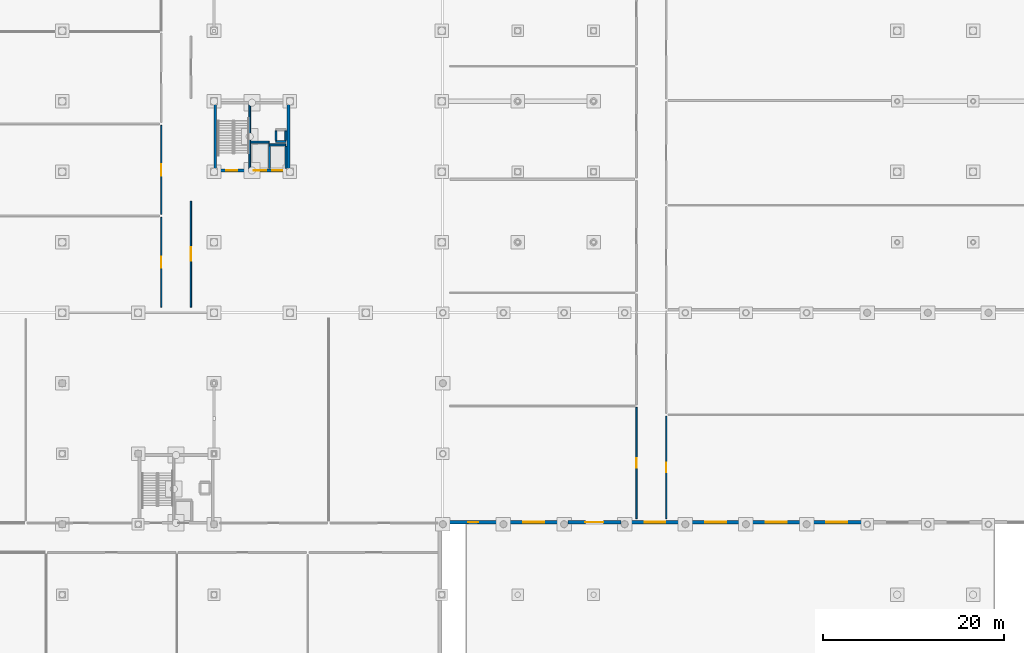
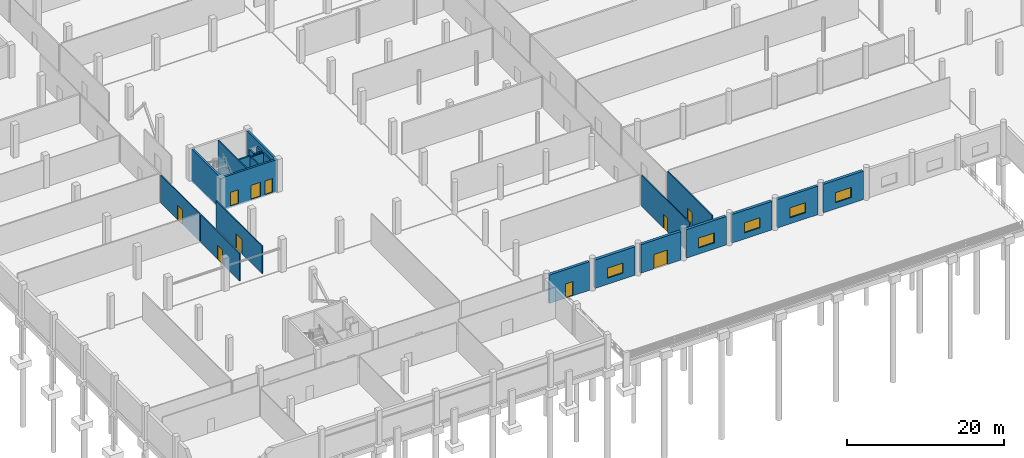
# One storey, part 28 of 48: 23 walls, 10 doors, 5 windows, 15 openings.
"""IFC4 building model written with IfcOpenShell, lengths in metres."""

from ifc_helpers import new_model, si_unit, direction, frame, frame_2d, origin, place, context, subcontext, project, spatial, rectangle, extrude, material, layer, layer_set, type_object, element, fill, save


model = new_model("IFC4")

# Units and contexts
model_context = context("Model", 3, precision=1e-05, world=origin(), true_north=direction((0.0, 1.0)))
body_context = subcontext(model_context, "Body", "Model", "MODEL_VIEW")
ifc_project = project(units=[si_unit("LENGTHUNIT", "METRE"), si_unit("AREAUNIT", "SQUARE_METRE"), si_unit("VOLUMEUNIT", "CUBIC_METRE"), si_unit("PLANEANGLEUNIT", "RADIAN"), si_unit("MASSUNIT", "GRAM", prefix="KILO")], contexts=[model_context])

# Site, building, storey
site_placement = place(None, origin())
site = spatial("IfcSite", under=ifc_project, at=site_placement, CompositionType="ELEMENT")
building_placement = place(site_placement, origin())
building = spatial("IfcBuilding", under=site, at=building_placement, Name="Nabrawat Pavilion Hospital", CompositionType="ELEMENT")
storey_placement = place(building_placement, frame((0.0, 0.0, -5.10009765625)))
storey = spatial("IfcBuildingStorey", under=building, at=storey_placement, Name="B1", CompositionType="ELEMENT", Elevation=-5.10009765625)

# Wall, opening, door
ifc_material_1 = material(Name="Concrete C35/45", Category="concrete")
ifc_layer_1 = layer(ifc_material_1, 0.39990234375, Name="Concrete C35/45")
ifc_layer_set_1 = layer_set([ifc_layer_1], Name="Concrete C35/45")
wall_type_1 = type_object("IfcWallType", Name="Basement RC Retaining Wall 400", PredefinedType="USERDEFINED", material=ifc_layer_set_1)
wall_1_placement = place(storey_placement, frame((59.3349609375, 15.820068359375, 0.0), z_axis=(0.0, 0.0, 1.0), x_axis=(1.0, 0.0, 0.0)))
wall_1 = element("IfcWall", 1, at=wall_1_placement, inside=storey, type_object=wall_type_1, Name="B1 Perimeter Retaining Wall 032", ObjectType="RETAININGWALL", PredefinedType="USERDEFINED", context=body_context, shape_type="SweptSolid", body=[
    extrude(rectangle(XDim=5.8779296875, YDim=0.39990234375, at=frame_2d((2.93896484375, 0.0))), origin(), (0.0, 0.0, 1.0), 4.43017578125),
])
opening_1_placement = place(wall_1_placement, frame((2.388916015625, 0.0, 0.0)))
opening_1 = element("IfcOpeningElement", 2, at=opening_1_placement, cuts=wall_1, Name="Opening ED-TER-110", PredefinedType="OPENING", context=body_context, shape_type="SweptSolid", body=[
    extrude(rectangle(XDim=1.10009765625, YDim=2.199951171875, at=frame_2d((0.550048828125, 1.10009765625))), frame((0.0, 0.2099609375, 0.0), z_axis=(0.0, -1.0, 0.0), x_axis=(1.0, 0.0, 0.0)), (0.0, 0.0, 1.0), 0.419921875),
])
ifc_material_2 = material(Name="Powder-Coated Galvanised Steel and Safety Glass", Category="steel")
door_type_1 = type_object("IfcDoorType", Name="Forecourt Access Single Door 1100x2200", OperationType="NOTDEFINED", PredefinedType="DOOR", material=ifc_material_2)
door_1_placement = place(opening_1_placement, frame((1.10009765625, 0.0, 0.0), z_axis=(0.0, 0.0, 1.0), x_axis=(-1.0, 0.0, 0.0)))
door_1 = element("IfcDoor", 3, at=door_1_placement, inside=storey, type_object=door_type_1, Name="B1 Sunken Metro Forecourt Entrance Door", OperationType="SINGLE_SWING_RIGHT", OverallHeight=2.199951171875, OverallWidth=1.10009765625, PredefinedType="DOOR", context=body_context, shape_type="SweptSolid", body=[
    extrude(rectangle(XDim=1.10009765625, YDim=2.199951171875, at=frame_2d((0.550048828125, 1.10009765625))), frame((0.0, 0.02490234375, 0.0), z_axis=(0.0, -1.0, 0.0), x_axis=(1.0, 0.0, 0.0)), (0.0, 0.0, 1.0), 0.050048828125),
])
fill(opening_1, door_1)

# Wall, opening, window
wall_2_placement = place(storey_placement, frame((66.04296875, 15.820068359375, 0.0), z_axis=(0.0, 0.0, 1.0), x_axis=(1.0, 0.0, 0.0)))
wall_2 = element("IfcWall", 4, at=wall_2_placement, inside=storey, type_object=wall_type_1, Name="B1 Perimeter Retaining Wall 033", ObjectType="RETAININGWALL", PredefinedType="USERDEFINED", context=body_context, shape_type="SweptSolid", body=[
    extrude(rectangle(XDim=5.8779296875, YDim=0.39990234375, at=frame_2d((2.93896484375, 0.0))), origin(), (0.0, 0.0, 1.0), 4.43017578125),
])
opening_2_placement = place(wall_2_placement, frame((1.7890625, 0.0, 0.949951171875)))
opening_2 = element("IfcOpeningElement", 5, at=opening_2_placement, cuts=wall_2, Name="Opening WN-21", PredefinedType="OPENING", context=body_context, shape_type="SweptSolid", body=[
    extrude(rectangle(XDim=2.300048828125, YDim=1.550048828125, at=frame_2d((1.14990234375, 0.77490234375))), frame((0.0, 0.2099609375, 0.0), z_axis=(0.0, -1.0, 0.0), x_axis=(1.0, 0.0, 0.0)), (0.0, 0.0, 1.0), 0.419921875),
])
ifc_material_3 = material(Name="Thermally Broken Aluminium and Solar Glass", Category="aluminium")
window_type = type_object("IfcWindowType", Name="Sunken Forecourt Metro Window 2300x1550", PartitioningType="SINGLE_PANEL", PredefinedType="WINDOW", material=ifc_material_3)
window_1_placement = place(opening_2_placement, origin())
window_1 = element("IfcWindow", 6, at=window_1_placement, inside=storey, type_object=window_type, Name="B1 Sunken Forecourt Daylight Window 001", OverallHeight=1.550048828125, OverallWidth=2.300048828125, PartitioningType="SINGLE_PANEL", PredefinedType="WINDOW", context=body_context, shape_type="SweptSolid", body=[
    extrude(rectangle(XDim=2.300048828125, YDim=1.550048828125, at=frame_2d((1.14990234375, 0.77490234375))), frame((0.0, 0.030029296875, 0.0), z_axis=(0.0, -1.0, 0.0), x_axis=(1.0, 0.0, 0.0)), (0.0, 0.0, 1.0), 0.06005859375),
])
fill(opening_2, window_1)

# Wall, opening, door
wall_3_placement = place(storey_placement, frame((72.7509765625, 15.820068359375, 0.0), z_axis=(0.0, 0.0, 1.0), x_axis=(1.0, 0.0, 0.0)))
wall_3 = element("IfcWall", 7, at=wall_3_placement, inside=storey, type_object=wall_type_1, Name="B1 Perimeter Retaining Wall 034", ObjectType="RETAININGWALL", PredefinedType="USERDEFINED", context=body_context, shape_type="SweptSolid", body=[
    extrude(rectangle(XDim=5.8779296875, YDim=0.39990234375, at=frame_2d((2.93896484375, 0.0))), origin(), (0.0, 0.0, 1.0), 4.43017578125),
])
opening_3_placement = place(wall_3_placement, frame((1.93896484375, 0.0, 0.0)))
opening_3 = element("IfcOpeningElement", 8, at=opening_3_placement, cuts=wall_3, Name="Opening ED-EXIT-200", PredefinedType="OPENING", context=body_context, shape_type="SweptSolid", body=[
    extrude(rectangle(XDim=2.0, YDim=2.25, at=frame_2d((1.0, 1.125))), frame((0.0, 0.2099609375, 0.0), z_axis=(0.0, -1.0, 0.0), x_axis=(1.0, 0.0, 0.0)), (0.0, 0.0, 1.0), 0.419921875),
])
door_type_2 = type_object("IfcDoorType", Name="Secondary Final-Exit Double Door 2000x2250", OperationType="NOTDEFINED", PredefinedType="DOOR", material=ifc_material_2)
door_2_placement = place(opening_3_placement, frame((2.0, 0.0, 0.0), z_axis=(0.0, 0.0, 1.0), x_axis=(-1.0, 0.0, 0.0)))
door_2 = element("IfcDoor", 9, at=door_2_placement, inside=storey, type_object=door_type_2, Name="B1 Metro Forecourt Concourse Double Exit Door", OperationType="DOUBLE_DOOR_SINGLE_SWING", OverallHeight=2.25, OverallWidth=2.0, PredefinedType="DOOR", context=body_context, shape_type="SweptSolid", body=[
    extrude(rectangle(XDim=2.0, YDim=2.25, at=frame_2d((1.0, 1.125))), frame((0.0, 0.02490234375, 0.0), z_axis=(0.0, -1.0, 0.0), x_axis=(1.0, 0.0, 0.0)), (0.0, 0.0, 1.0), 0.050048828125),
])
fill(opening_3, door_2)

# Wall, opening, window
wall_4_placement = place(storey_placement, frame((79.458984375, 15.820068359375, 0.0), z_axis=(0.0, 0.0, 1.0), x_axis=(1.0, 0.0, 0.0)))
wall_4 = element("IfcWall", 10, at=wall_4_placement, inside=storey, type_object=wall_type_1, Name="B1 Perimeter Retaining Wall 035", ObjectType="RETAININGWALL", PredefinedType="USERDEFINED", context=body_context, shape_type="SweptSolid", body=[
    extrude(rectangle(XDim=5.8779296875, YDim=0.39990234375, at=frame_2d((2.93896484375, 0.0))), origin(), (0.0, 0.0, 1.0), 4.43017578125),
])
opening_4_placement = place(wall_4_placement, frame((1.7890625, 0.0, 0.949951171875)))
opening_4 = element("IfcOpeningElement", 11, at=opening_4_placement, cuts=wall_4, Name="Opening WN-21", PredefinedType="OPENING", context=body_context, shape_type="SweptSolid", body=[
    extrude(rectangle(XDim=2.300048828125, YDim=1.550048828125, at=frame_2d((1.14990234375, 0.77490234375))), frame((0.0, 0.2099609375, 0.0), z_axis=(0.0, -1.0, 0.0), x_axis=(1.0, 0.0, 0.0)), (0.0, 0.0, 1.0), 0.419921875),
])
window_2_placement = place(opening_4_placement, origin())
window_2 = element("IfcWindow", 12, at=window_2_placement, inside=storey, type_object=window_type, Name="B1 Sunken Forecourt Daylight Window 003", OverallHeight=1.550048828125, OverallWidth=2.300048828125, PartitioningType="SINGLE_PANEL", PredefinedType="WINDOW", context=body_context, shape_type="SweptSolid", body=[
    extrude(rectangle(XDim=2.300048828125, YDim=1.550048828125, at=frame_2d((1.14990234375, 0.77490234375))), frame((0.0, 0.030029296875, 0.0), z_axis=(0.0, -1.0, 0.0), x_axis=(1.0, 0.0, 0.0)), (0.0, 0.0, 1.0), 0.06005859375),
])
fill(opening_4, window_2)

wall_5_placement = place(storey_placement, frame((86.1669921875, 15.820068359375, 0.0), z_axis=(0.0, 0.0, 1.0), x_axis=(1.0, 0.0, 0.0)))
wall_5 = element("IfcWall", 13, at=wall_5_placement, inside=storey, type_object=wall_type_1, Name="B1 Perimeter Retaining Wall 036", ObjectType="RETAININGWALL", PredefinedType="USERDEFINED", context=body_context, shape_type="SweptSolid", body=[
    extrude(rectangle(XDim=5.8779296875, YDim=0.39990234375, at=frame_2d((2.93896484375, 0.0))), origin(), (0.0, 0.0, 1.0), 4.43017578125),
])
opening_5_placement = place(wall_5_placement, frame((1.7890625, 0.0, 0.949951171875)))
opening_5 = element("IfcOpeningElement", 14, at=opening_5_placement, cuts=wall_5, Name="Opening WN-21", PredefinedType="OPENING", context=body_context, shape_type="SweptSolid", body=[
    extrude(rectangle(XDim=2.300048828125, YDim=1.550048828125, at=frame_2d((1.14990234375, 0.77490234375))), frame((0.0, 0.2099609375, 0.0), z_axis=(0.0, -1.0, 0.0), x_axis=(1.0, 0.0, 0.0)), (0.0, 0.0, 1.0), 0.419921875),
])
window_3_placement = place(opening_5_placement, origin())
window_3 = element("IfcWindow", 15, at=window_3_placement, inside=storey, type_object=window_type, Name="B1 Sunken Forecourt Daylight Window 004", OverallHeight=1.550048828125, OverallWidth=2.300048828125, PartitioningType="SINGLE_PANEL", PredefinedType="WINDOW", context=body_context, shape_type="SweptSolid", body=[
    extrude(rectangle(XDim=2.300048828125, YDim=1.550048828125, at=frame_2d((1.14990234375, 0.77490234375))), frame((0.0, 0.030029296875, 0.0), z_axis=(0.0, -1.0, 0.0), x_axis=(1.0, 0.0, 0.0)), (0.0, 0.0, 1.0), 0.06005859375),
])
fill(opening_5, window_3)

wall_6_placement = place(storey_placement, frame((92.875, 15.820068359375, 0.0), z_axis=(0.0, 0.0, 1.0), x_axis=(1.0, 0.0, 0.0)))
wall_6 = element("IfcWall", 16, at=wall_6_placement, inside=storey, type_object=wall_type_1, Name="B1 Perimeter Retaining Wall 037", ObjectType="RETAININGWALL", PredefinedType="USERDEFINED", context=body_context, shape_type="SweptSolid", body=[
    extrude(rectangle(XDim=5.8779296875, YDim=0.39990234375, at=frame_2d((2.93896484375, 0.0))), origin(), (0.0, 0.0, 1.0), 4.43017578125),
])
opening_6_placement = place(wall_6_placement, frame((1.7890625, 0.0, 0.949951171875)))
opening_6 = element("IfcOpeningElement", 17, at=opening_6_placement, cuts=wall_6, Name="Opening WN-21", PredefinedType="OPENING", context=body_context, shape_type="SweptSolid", body=[
    extrude(rectangle(XDim=2.300048828125, YDim=1.550048828125, at=frame_2d((1.14990234375, 0.77490234375))), frame((0.0, 0.2099609375, 0.0), z_axis=(0.0, -1.0, 0.0), x_axis=(1.0, 0.0, 0.0)), (0.0, 0.0, 1.0), 0.419921875),
])
window_4_placement = place(opening_6_placement, origin())
window_4 = element("IfcWindow", 18, at=window_4_placement, inside=storey, type_object=window_type, Name="B1 Sunken Forecourt Daylight Window 005", OverallHeight=1.550048828125, OverallWidth=2.300048828125, PartitioningType="SINGLE_PANEL", PredefinedType="WINDOW", context=body_context, shape_type="SweptSolid", body=[
    extrude(rectangle(XDim=2.300048828125, YDim=1.550048828125, at=frame_2d((1.14990234375, 0.77490234375))), frame((0.0, 0.030029296875, 0.0), z_axis=(0.0, -1.0, 0.0), x_axis=(1.0, 0.0, 0.0)), (0.0, 0.0, 1.0), 0.06005859375),
])
fill(opening_6, window_4)

wall_7_placement = place(storey_placement, frame((99.5830078125, 15.820068359375, 0.0), z_axis=(0.0, 0.0, 1.0), x_axis=(1.0, 0.0, 0.0)))
wall_7 = element("IfcWall", 19, at=wall_7_placement, inside=storey, type_object=wall_type_1, Name="B1 Perimeter Retaining Wall 038", ObjectType="RETAININGWALL", PredefinedType="USERDEFINED", context=body_context, shape_type="SweptSolid", body=[
    extrude(rectangle(XDim=5.8779296875, YDim=0.39990234375, at=frame_2d((2.93896484375, 0.0))), origin(), (0.0, 0.0, 1.0), 4.43017578125),
])
opening_7_placement = place(wall_7_placement, frame((1.7890625, 0.0, 0.949951171875)))
opening_7 = element("IfcOpeningElement", 20, at=opening_7_placement, cuts=wall_7, Name="Opening WN-21", PredefinedType="OPENING", context=body_context, shape_type="SweptSolid", body=[
    extrude(rectangle(XDim=2.300048828125, YDim=1.550048828125, at=frame_2d((1.14990234375, 0.77490234375))), frame((0.0, 0.2099609375, 0.0), z_axis=(0.0, -1.0, 0.0), x_axis=(1.0, 0.0, 0.0)), (0.0, 0.0, 1.0), 0.419921875),
])
window_5_placement = place(opening_7_placement, origin())
window_5 = element("IfcWindow", 21, at=window_5_placement, inside=storey, type_object=window_type, Name="B1 Sunken Forecourt Daylight Window 006", OverallHeight=1.550048828125, OverallWidth=2.300048828125, PartitioningType="SINGLE_PANEL", PredefinedType="WINDOW", context=body_context, shape_type="SweptSolid", body=[
    extrude(rectangle(XDim=2.300048828125, YDim=1.550048828125, at=frame_2d((1.14990234375, 0.77490234375))), frame((0.0, 0.030029296875, 0.0), z_axis=(0.0, -1.0, 0.0), x_axis=(1.0, 0.0, 0.0)), (0.0, 0.0, 1.0), 0.06005859375),
])
fill(opening_7, window_5)

# Wall, opening, door
ifc_material_4 = material(Name="Gypsum Fireboard on Steel Stud", Category="steel")
ifc_layer_2 = layer(ifc_material_4, 0.14990234375, Name="Gypsum Fireboard on Steel Stud")
ifc_layer_set_2 = layer_set([ifc_layer_2], Name="Gypsum Fireboard on Steel Stud")
wall_type_2 = type_object("IfcWallType", Name="Clinical Corridor Smoke-Barrier Wall 150", PredefinedType="PARTITIONING", material=ifc_layer_set_2)
wall_8_placement = place(storey_placement, frame((27.760009765625, 39.6201171875, 0.0), z_axis=(0.0, 0.0, 1.0), x_axis=(0.0, 1.0, 0.0)))
wall_8 = element("IfcWall", 22, at=wall_8_placement, inside=storey, type_object=wall_type_2, Name="B1 Anatomical Pathology Laboratory B1-01 Front Partition", PredefinedType="PARTITIONING", context=body_context, shape_type="SweptSolid", body=[
    extrude(rectangle(XDim=9.93798828125, YDim=0.14990234375, at=frame_2d((4.968994140625, 0.0))), origin(), (0.0, 0.0, 1.0), 4.280029296875),
])
opening_8_placement = place(wall_8_placement, frame((4.343994140625, 0.0, 0.0)))
opening_8 = element("IfcOpeningElement", 23, at=opening_8_placement, cuts=wall_8, Name="Opening D-LAB", PredefinedType="OPENING", context=body_context, shape_type="SweptSolid", body=[
    extrude(rectangle(XDim=1.25, YDim=2.199951171875, at=frame_2d((0.625, 1.10009765625))), frame((0.0, 0.0849609375, 0.0), z_axis=(0.0, -1.0, 0.0), x_axis=(1.0, 0.0, 0.0)), (0.0, 0.0, 1.0), 0.169921875),
])
ifc_material_5 = material(Name="Stainless-Clad Acoustic Timber and Vision Glass", Category="wood")
door_type_3 = type_object("IfcDoorType", Name="Laboratory Containment Vision-Panel Door 1250x2200", OperationType="NOTDEFINED", PredefinedType="DOOR", material=ifc_material_5)
door_3_placement = place(opening_8_placement, origin())
door_3 = element("IfcDoor", 24, at=door_3_placement, inside=storey, type_object=door_type_3, Name="Anatomical Pathology Laboratory B1-01 Door", OperationType="SINGLE_SWING_RIGHT", OverallHeight=2.199951171875, OverallWidth=1.25, PredefinedType="DOOR", context=body_context, shape_type="SweptSolid", body=[
    extrude(rectangle(XDim=1.25, YDim=2.199951171875, at=frame_2d((0.625, 1.10009765625))), frame((0.0, 0.02490234375, 0.0), z_axis=(0.0, -1.0, 0.0), x_axis=(1.0, 0.0, 0.0)), (0.0, 0.0, 1.0), 0.050048828125),
])
fill(opening_8, door_3)

wall_9_placement = place(storey_placement, frame((27.760009765625, 49.8779296875, 0.0), z_axis=(0.0, 0.0, 1.0), x_axis=(0.0, 1.0, 0.0)))
wall_9 = element("IfcWall", 25, at=wall_9_placement, inside=storey, type_object=wall_type_2, Name="B1 Regional Blood Bank Cryo Storage B1-02 Front Partition", PredefinedType="PARTITIONING", context=body_context, shape_type="SweptSolid", body=[
    extrude(rectangle(XDim=9.858154296875, YDim=0.14990234375, at=frame_2d((4.92919921875, 0.0))), origin(), (0.0, 0.0, 1.0), 4.280029296875),
])
opening_9_placement = place(wall_9_placement, frame((4.303955078125, 0.0, 0.0)))
opening_9 = element("IfcOpeningElement", 26, at=opening_9_placement, cuts=wall_9, Name="Opening D-LAB", PredefinedType="OPENING", context=body_context, shape_type="SweptSolid", body=[
    extrude(rectangle(XDim=1.25, YDim=2.199951171875, at=frame_2d((0.625, 1.10009765625))), frame((0.0, 0.0849609375, 0.0), z_axis=(0.0, -1.0, 0.0), x_axis=(1.0, 0.0, 0.0)), (0.0, 0.0, 1.0), 0.169921875),
])
door_4_placement = place(opening_9_placement, origin())
door_4 = element("IfcDoor", 27, at=door_4_placement, inside=storey, type_object=door_type_3, Name="Regional Blood Bank Cryo Storage B1-02 Door", OperationType="SINGLE_SWING_LEFT", OverallHeight=2.199951171875, OverallWidth=1.25, PredefinedType="DOOR", context=body_context, shape_type="SweptSolid", body=[
    extrude(rectangle(XDim=1.25, YDim=2.199951171875, at=frame_2d((0.625, 1.10009765625))), frame((0.0, 0.02490234375, 0.0), z_axis=(0.0, -1.0, 0.0), x_axis=(1.0, 0.0, 0.0)), (0.0, 0.0, 1.0), 0.050048828125),
])
fill(opening_9, door_4)

wall_10_placement = place(storey_placement, frame((31.0400390625, 39.6201171875, 0.0), z_axis=(0.0, 0.0, 1.0), x_axis=(0.0, 1.0, 0.0)))
wall_10 = element("IfcWall", 28, at=wall_10_placement, inside=storey, type_object=wall_type_2, Name="B1 Critical Power UPS Battery Room B1-07 Front Partition", PredefinedType="PARTITIONING", context=body_context, shape_type="SweptSolid", body=[
    extrude(rectangle(XDim=11.72998046875, YDim=0.14990234375, at=frame_2d((5.864990234375, 0.0))), origin(), (0.0, 0.0, 1.0), 4.280029296875),
])
opening_10_placement = place(wall_10_placement, frame((5.114990234375, 0.0, 0.0)))
opening_10 = element("IfcOpeningElement", 29, at=opening_10_placement, cuts=wall_10, Name="Opening D-PLANT", PredefinedType="OPENING", context=body_context, shape_type="SweptSolid", body=[
    extrude(rectangle(XDim=1.5, YDim=2.25, at=frame_2d((0.75, 1.125))), frame((0.0, 0.0849609375, 0.0), z_axis=(0.0, -1.0, 0.0), x_axis=(1.0, 0.0, 0.0)), (0.0, 0.0, 1.0), 0.169921875),
])
door_type_4 = type_object("IfcDoorType", Name="D-PLANT Heavy Plant Room Steel Fire Door 1500x2250", OperationType="NOTDEFINED", PredefinedType="DOOR", material=ifc_material_5)
door_5_placement = place(opening_10_placement, origin())
door_5 = element("IfcDoor", 30, at=door_5_placement, inside=storey, type_object=door_type_4, Name="Critical Power UPS Battery Room B1-07 Door", OperationType="DOUBLE_DOOR_SINGLE_SWING", OverallHeight=2.25, OverallWidth=1.5, PredefinedType="DOOR", context=body_context, shape_type="SweptSolid", body=[
    extrude(rectangle(XDim=1.5, YDim=2.25, at=frame_2d((0.75, 1.125))), frame((0.0, 0.02490234375, 0.0), z_axis=(0.0, -1.0, 0.0), x_axis=(1.0, 0.0, 0.0)), (0.0, 0.0, 1.0), 0.050048828125),
])
fill(opening_10, door_5)

wall_11_placement = place(storey_placement, frame((80.360107421875, 16.219970703125, 0.0), z_axis=(0.0, 0.0, 1.0), x_axis=(0.0, 1.0, 0.0)))
wall_11 = element("IfcWall", 31, at=wall_11_placement, inside=storey, type_object=wall_type_2, Name="B1 Metro Tunnel Pedestrian Concourse Reception B1-01 Front Partition", PredefinedType="PARTITIONING", context=body_context, shape_type="SweptSolid", body=[
    extrude(rectangle(XDim=12.300048828125, YDim=0.14990234375, at=frame_2d((6.14990234375, 0.0))), origin(), (0.0, 0.0, 1.0), 4.820068359375),
])
opening_11_placement = place(wall_11_placement, frame((5.625, 0.0, 0.0)))
opening_11 = element("IfcOpeningElement", 32, at=opening_11_placement, cuts=wall_11, Name="Opening D-OPC-R", PredefinedType="OPENING", context=body_context, shape_type="SweptSolid", body=[
    extrude(rectangle(XDim=1.050048828125, YDim=2.14990234375, at=frame_2d((0.52490234375, 1.074951171875))), frame((0.0, 0.0849609375, 0.0), z_axis=(0.0, -1.0, 0.0), x_axis=(1.0, 0.0, 0.0)), (0.0, 0.0, 1.0), 0.169921875),
])
door_type_5 = type_object("IfcDoorType", Name="Outpatient Clinic Consultation Door R 1050x2150", OperationType="NOTDEFINED", PredefinedType="DOOR", material=ifc_material_5)
door_6_placement = place(opening_11_placement, origin())
door_6 = element("IfcDoor", 33, at=door_6_placement, inside=storey, type_object=door_type_5, Name="Metro Tunnel Pedestrian Concourse Reception B1-01 Door", OperationType="SINGLE_SWING_LEFT", OverallHeight=2.14990234375, OverallWidth=1.050048828125, PredefinedType="DOOR", context=body_context, shape_type="SweptSolid", body=[
    extrude(rectangle(XDim=1.050048828125, YDim=2.14990234375, at=frame_2d((0.52490234375, 1.074951171875))), frame((0.0, 0.02490234375, 0.0), z_axis=(0.0, -1.0, 0.0), x_axis=(1.0, 0.0, 0.0)), (0.0, 0.0, 1.0), 0.050048828125),
])
fill(opening_11, door_6)

wall_12_placement = place(storey_placement, frame((83.639892578125, 16.219970703125, 0.0), z_axis=(0.0, 0.0, 1.0), x_axis=(0.0, 1.0, 0.0)))
wall_12 = element("IfcWall", 34, at=wall_12_placement, inside=storey, type_object=wall_type_2, Name="B1 Staff Secure Bicycle Storage and Changing Room B1-09 Front Partition", PredefinedType="PARTITIONING", context=body_context, shape_type="SweptSolid", body=[
    extrude(rectangle(XDim=11.35009765625, YDim=0.14990234375, at=frame_2d((5.675048828125, 0.0))), origin(), (0.0, 0.0, 1.0), 4.820068359375),
])
opening_12_placement = place(wall_12_placement, frame((5.14990234375, 0.0, 0.0)))
opening_12 = element("IfcOpeningElement", 35, at=opening_12_placement, cuts=wall_12, Name="Opening D-OPC-R", PredefinedType="OPENING", context=body_context, shape_type="SweptSolid", body=[
    extrude(rectangle(XDim=1.050048828125, YDim=2.14990234375, at=frame_2d((0.52490234375, 1.074951171875))), frame((0.0, 0.0849609375, 0.0), z_axis=(0.0, -1.0, 0.0), x_axis=(1.0, 0.0, 0.0)), (0.0, 0.0, 1.0), 0.169921875),
])
door_7_placement = place(opening_12_placement, origin())
door_7 = element("IfcDoor", 36, at=door_7_placement, inside=storey, type_object=door_type_5, Name="Staff Secure Bicycle Storage and Changing Room B1-09 Door", OperationType="SINGLE_SWING_LEFT", OverallHeight=2.14990234375, OverallWidth=1.050048828125, PredefinedType="DOOR", context=body_context, shape_type="SweptSolid", body=[
    extrude(rectangle(XDim=1.050048828125, YDim=2.14990234375, at=frame_2d((0.52490234375, 1.074951171875))), frame((0.0, 0.02490234375, 0.0), z_axis=(0.0, -1.0, 0.0), x_axis=(1.0, 0.0, 0.0)), (0.0, 0.0, 1.0), 0.050048828125),
])
fill(opening_12, door_7)

# Walls
ifc_layer_3 = layer(ifc_material_1, 0.199951171875, Name="Concrete C35/45")
ifc_layer_set_3 = layer_set([ifc_layer_3], Name="Concrete C35/45")
wall_type_3 = type_object("IfcWallType", Name="Lift and Riser Fire Shaft Wall 200", PredefinedType="PARTITIONING", material=ifc_layer_set_3)
wall_13_placement = place(storey_placement, frame((37.550048828125, 54.919921875, -0.219970703125), z_axis=(0.0, 0.0, 1.0), x_axis=(0.0, 1.0, 0.0)))
element("IfcWall", 37, at=wall_13_placement, inside=storey, type_object=wall_type_3, Name="B1 CORE-2 Stair-Lift Dividing Shear Wall", PredefinedType="SHEAR", context=body_context, shape_type="SweptSolid", body=[
    extrude(rectangle(XDim=7.16015625, YDim=0.199951171875, at=frame_2d((3.580078125, 0.0))), origin(), (0.0, 0.0, 1.0), 5.070068359375),
])
wall_14_placement = place(storey_placement, frame((40.449951171875, 57.949951171875, 0.0), z_axis=(0.0, 0.0, 1.0), x_axis=(1.0, 0.0, 0.0)))
element("IfcWall", 38, at=wall_14_placement, inside=storey, type_object=wall_type_3, Name="B1 CORE-2 MEP Riser Shaft Wall S", PredefinedType="PARTITIONING", context=body_context, shape_type="SweptSolid", body=[
    extrude(rectangle(XDim=1.10009765625, YDim=0.199951171875, at=frame_2d((0.550048828125, 0.0))), origin(), (0.0, 0.0, 1.0), 4.22998046875),
])
for number, where, z_axis, x_axis, name in (
    (39, (40.449951171875, 58.070068359375, 0.0), (0.0, 0.0, 1.0), (0.0, 1.0, 0.0), "B1 CORE-2 MEP Riser Shaft Wall W"),
    (40, (41.550048828125, 58.070068359375, 0.0), (0.0, 0.0, 1.0), (0.0, 1.0, 0.0), "B1 CORE-2 MEP Riser Shaft Wall E"),
):
    element("IfcWall", number, at=place(storey_placement, frame(where, z_axis=z_axis, x_axis=x_axis)), inside=storey, type_object=wall_type_3, Name=name, PredefinedType="PARTITIONING", context=body_context, shape_type="SweptSolid", body=[
        extrude(rectangle(XDim=1.059814453125, YDim=0.199951171875, at=frame_2d((0.52978515625, 0.0))), origin(), (0.0, 0.0, 1.0), 4.22998046875),
    ])
wall_15_placement = place(storey_placement, frame((39.739990234375, 54.97998046875, 0.0), z_axis=(0.0, 0.0, 1.0), x_axis=(0.0, 1.0, 0.0)))
element("IfcWall", 41, at=wall_15_placement, inside=storey, type_object=wall_type_3, Name="B1 Lift LB-01 Shaft East Wall", PredefinedType="PARTITIONING", context=body_context, shape_type="SweptSolid", body=[
    extrude(rectangle(XDim=2.739990234375, YDim=0.199951171875, at=frame_2d((1.3701171875, 0.0))), origin(), (0.0, 0.0, 1.0), 4.22998046875),
])
wall_16_placement = place(storey_placement, frame((37.64990234375, 57.8798828125, 0.0), z_axis=(0.0, 0.0, 1.0), x_axis=(1.0, 0.0, 0.0)))
element("IfcWall", 42, at=wall_16_placement, inside=storey, type_object=wall_type_3, Name="B1 Lift LB-01 Shaft Back Wall", PredefinedType="PARTITIONING", context=body_context, shape_type="SweptSolid", body=[
    extrude(rectangle(XDim=2.06005859375, YDim=0.199951171875, at=frame_2d((1.030029296875, 0.0))), origin(), (0.0, 0.0, 1.0), 4.22998046875),
])
wall_17_placement = place(storey_placement, frame((41.56005859375, 54.97998046875, 0.0), z_axis=(0.0, 0.0, 1.0), x_axis=(0.0, 1.0, 0.0)))
element("IfcWall", 43, at=wall_17_placement, inside=storey, type_object=wall_type_3, Name="B1 Lift LS-01 Shaft East Wall", PredefinedType="PARTITIONING", context=body_context, shape_type="SweptSolid", body=[
    extrude(rectangle(XDim=2.43994140625, YDim=0.199951171875, at=frame_2d((1.219970703125, 0.0))), origin(), (0.0, 0.0, 1.0), 4.22998046875),
])
wall_18_placement = place(storey_placement, frame((39.669921875, 57.580078125, 0.0), z_axis=(0.0, 0.0, 1.0), x_axis=(1.0, 0.0, 0.0)))
element("IfcWall", 44, at=wall_18_placement, inside=storey, type_object=wall_type_3, Name="B1 Lift LS-01 Shaft Back Wall", PredefinedType="PARTITIONING", context=body_context, shape_type="SweptSolid", body=[
    extrude(rectangle(XDim=1.860107421875, YDim=0.199951171875, at=frame_2d((0.93017578125, 0.0))), origin(), (0.0, 0.0, 1.0), 4.22998046875),
])

# Wall, openings, doors
ifc_material_6 = material(Name="Concrete C40/50", Category="concrete")
ifc_layer_4 = layer(ifc_material_6, 0.300048828125, Name="Concrete C40/50")
ifc_layer_set_4 = layer_set([ifc_layer_4], Name="Concrete C40/50")
wall_type_4 = type_object("IfcWallType", Name="Reinforced Concrete Core Shear Wall 300", PredefinedType="SHEAR", material=ifc_layer_set_4)
wall_19_placement = place(storey_placement, frame((33.60009765625, 54.75, -0.219970703125), z_axis=(0.0, 0.0, 1.0), x_axis=(1.0, 0.0, 0.0)))
wall_19 = element("IfcWall", 45, at=wall_19_placement, inside=storey, type_object=wall_type_4, Name="B1 CORE-2 South Core Shear Wall", PredefinedType="SHEAR", context=body_context, shape_type="SweptSolid", body=[
    extrude(rectangle(XDim=8.39990234375, YDim=0.300048828125, at=frame_2d((4.199951171875, 0.0))), origin(), (0.0, 0.0, 1.0), 5.070068359375),
])
opening_13_placement = place(wall_19_placement, frame((1.3798828125, 0.0, 0.219970703125)))
opening_13 = element("IfcOpeningElement", 46, at=opening_13_placement, cuts=wall_19, Name="Opening D-STAIR", PredefinedType="OPENING", context=body_context, shape_type="SweptSolid", body=[
    extrude(rectangle(XDim=1.199951171875, YDim=2.14990234375, at=frame_2d((0.60009765625, 1.074951171875))), frame((0.0, 0.16015625, 0.0), z_axis=(0.0, -1.0, 0.0), x_axis=(1.0, 0.0, 0.0)), (0.0, 0.0, 1.0), 0.320068359375),
])
opening_14_placement = place(wall_19_placement, frame((4.3798828125, 0.0, 0.219970703125)))
opening_14 = element("IfcOpeningElement", 47, at=opening_14_placement, cuts=wall_19, Name="Opening LD-LB-01", PredefinedType="OPENING", context=body_context, shape_type="SweptSolid", body=[
    extrude(rectangle(XDim=1.39990234375, YDim=2.199951171875, at=frame_2d((0.699951171875, 1.10009765625))), frame((0.0, 0.16015625, 0.0), z_axis=(0.0, -1.0, 0.0), x_axis=(1.0, 0.0, 0.0)), (0.0, 0.0, 1.0), 0.320068359375),
])
opening_15_placement = place(wall_19_placement, frame((6.449951171875, 0.0, 0.219970703125)))
opening_15 = element("IfcOpeningElement", 48, at=opening_15_placement, cuts=wall_19, Name="Opening LD-LS-01", PredefinedType="OPENING", context=body_context, shape_type="SweptSolid", body=[
    extrude(rectangle(XDim=1.10009765625, YDim=2.14990234375, at=frame_2d((0.550048828125, 1.074951171875))), frame((0.0, 0.16015625, 0.0), z_axis=(0.0, -1.0, 0.0), x_axis=(1.0, 0.0, 0.0)), (0.0, 0.0, 1.0), 0.320068359375),
])
door_type_6 = type_object("IfcDoorType", Name="D-STAIR Exit Stair Fire Door 1200x2150", OperationType="NOTDEFINED", PredefinedType="DOOR", material=ifc_material_5)
door_8_placement = place(opening_13_placement, origin())
door_8 = element("IfcDoor", 49, at=door_8_placement, inside=storey, type_object=door_type_6, Name="B1 ST-02 Fire Exit Stair Door", OperationType="SINGLE_SWING_RIGHT", OverallHeight=2.14990234375, OverallWidth=1.199951171875, PredefinedType="DOOR", context=body_context, shape_type="SweptSolid", body=[
    extrude(rectangle(XDim=1.199951171875, YDim=2.14990234375, at=frame_2d((0.60009765625, 1.074951171875))), frame((0.0, 0.02490234375, 0.0), z_axis=(0.0, -1.0, 0.0), x_axis=(1.0, 0.0, 0.0)), (0.0, 0.0, 1.0), 0.050048828125),
])
fill(opening_13, door_8)
door_type_7 = type_object("IfcDoorType", Name="Hospital Bed Lift Sliding Landing Door 1400x2200", OperationType="DOUBLE_DOOR_SLIDING", PredefinedType="DOOR", material=ifc_material_5)
door_9_placement = place(opening_14_placement, origin())
door_9 = element("IfcDoor", 50, at=door_9_placement, inside=storey, type_object=door_type_7, Name="B1 Lift LB-01 Sliding Landing Door", OperationType="DOUBLE_DOOR_SLIDING", OverallHeight=2.199951171875, OverallWidth=1.39990234375, PredefinedType="DOOR", context=body_context, shape_type="SweptSolid", body=[
    extrude(rectangle(XDim=1.39990234375, YDim=2.199951171875, at=frame_2d((0.699951171875, 1.10009765625))), frame((0.0, 0.02490234375, 0.0), z_axis=(0.0, -1.0, 0.0), x_axis=(1.0, 0.0, 0.0)), (0.0, 0.0, 1.0), 0.050048828125),
])
fill(opening_14, door_9)
door_type_8 = type_object("IfcDoorType", Name="Passenger Lift Sliding Landing Door 1100x2150", OperationType="DOUBLE_DOOR_SLIDING", PredefinedType="DOOR", material=ifc_material_5)
door_10_placement = place(opening_15_placement, origin())
door_10 = element("IfcDoor", 51, at=door_10_placement, inside=storey, type_object=door_type_8, Name="B1 Lift LS-01 Sliding Landing Door", OperationType="DOUBLE_DOOR_SLIDING", OverallHeight=2.14990234375, OverallWidth=1.10009765625, PredefinedType="DOOR", context=body_context, shape_type="SweptSolid", body=[
    extrude(rectangle(XDim=1.10009765625, YDim=2.14990234375, at=frame_2d((0.550048828125, 1.074951171875))), frame((0.0, 0.02490234375, 0.0), z_axis=(0.0, -1.0, 0.0), x_axis=(1.0, 0.0, 0.0)), (0.0, 0.0, 1.0), 0.050048828125),
])
fill(opening_15, door_10)

# Walls
for number, where, z_axis, x_axis, name in (
    (52, (33.75, 54.89990234375, -0.219970703125), (0.0, 0.0, 1.0), (0.0, 1.0, 0.0), "B1 CORE-2 West Core Shear Wall"),
    (53, (41.85009765625, 54.89990234375, -0.219970703125), (0.0, 0.0, 1.0), (0.0, 1.0, 0.0), "B1 CORE-2 East Core Shear Wall"),
):
    element("IfcWall", number, at=place(storey_placement, frame(where, z_axis=z_axis, x_axis=x_axis)), inside=storey, type_object=wall_type_4, Name=name, PredefinedType="SHEAR", context=body_context, shape_type="SweptSolid", body=[
        extrude(rectangle(XDim=7.2001953125, YDim=0.300048828125, at=frame_2d((3.60009765625, 0.0))), origin(), (0.0, 0.0, 1.0), 5.070068359375),
    ])

save(model, "model.ifc")
